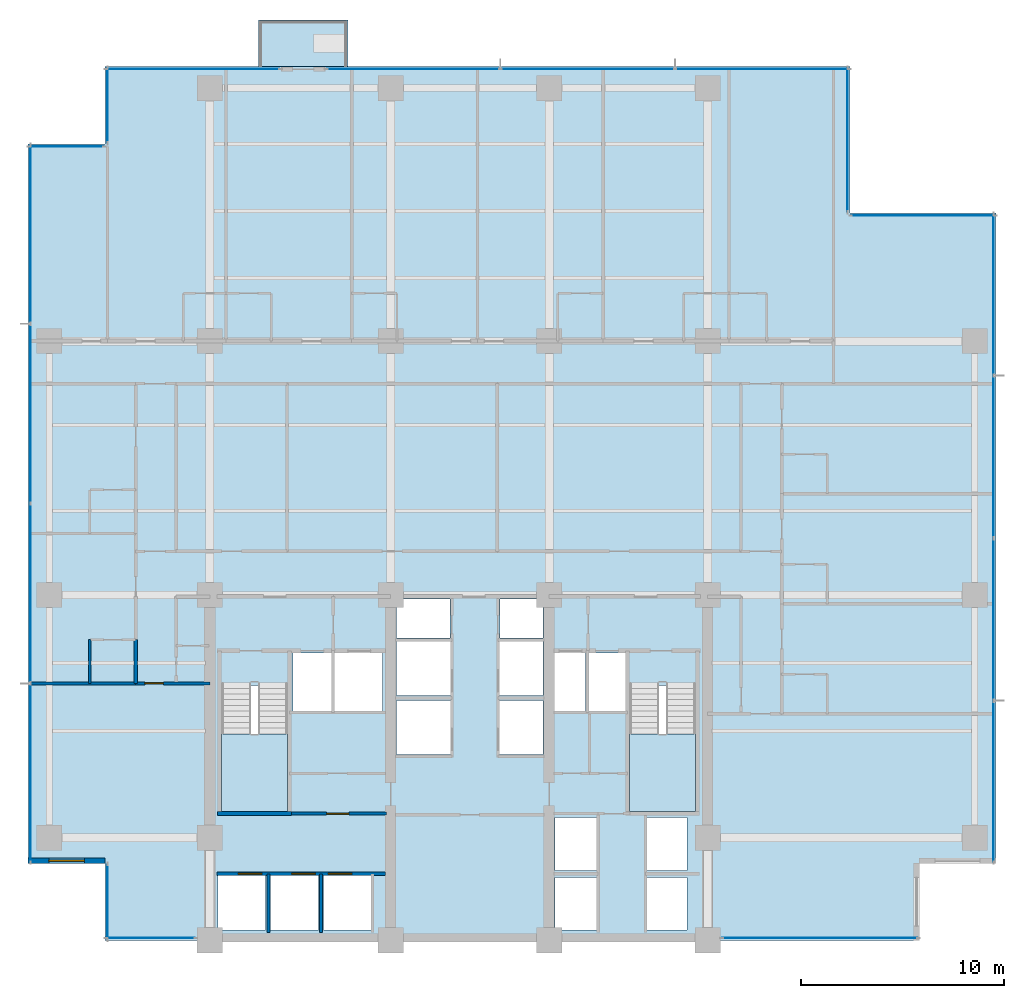
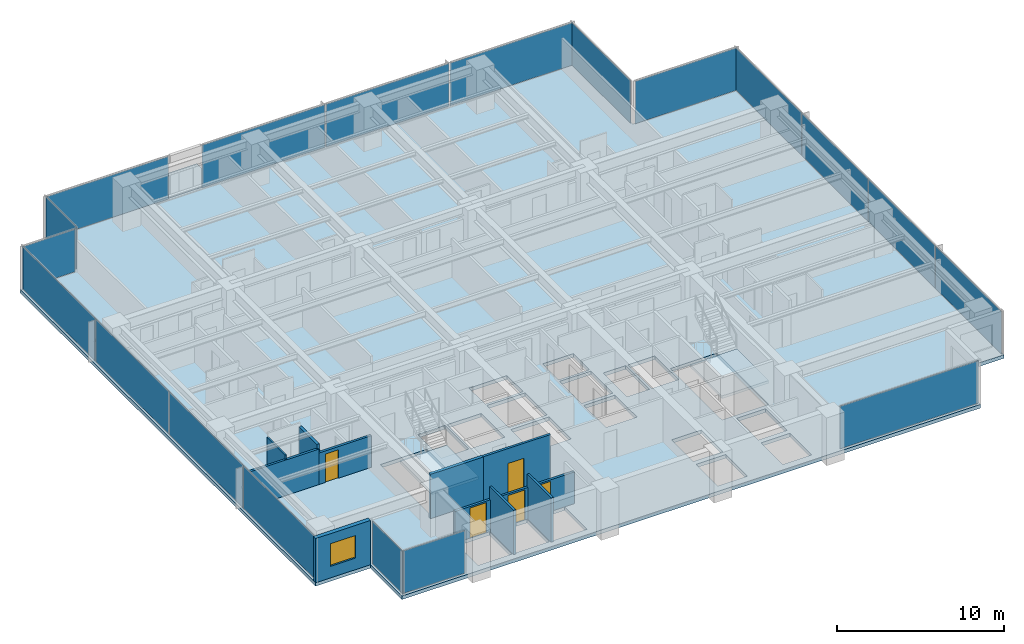
# One storey, part 7 of 17: 19 plates, 10 walls, 5 doors, 4 slabs, 1 window, 6 openings, 13 elements without a shape of their own.
"""IFC4 building model written with IfcOpenShell, lengths in metres."""

import ifcopenshell
import ifcopenshell.guid

model = None  # the IFC model being written
_history = None  # IfcOwnerHistory: only IFC2X3 demands one
_inside = {}  # id of a spatial element -> (the spatial element, [elements in it])
_under = {}  # id of a project, library or spatial element -> (it, [spatial elements below it])
_declared = {}  # id of a project -> (the project, [libraries it declares])
_typed = {}  # id of a type object -> (the type object, [elements of that type])
_made_of = {}  # id of a material, layer set ... -> (it, [elements and type objects made of it])


def new_model(schema):
    """Start an empty IFC model of exactly this schema.

    Asked for "IFC4X3", IfcOpenShell would pick the latest addendum, in which some entities
    have other attributes; the version numbers below select the first issue.
    IFC2X3 requires an IfcOwnerHistory on every rooted entity: one is made here for all.
    """
    global model, _history
    if schema == "IFC4X3":
        model = ifcopenshell.file(schema_version=(4, 3, 0, 0))
    else:
        model = ifcopenshell.file(schema=schema)
    _inside.clear()
    _under.clear()
    _declared.clear()
    _typed.clear()
    _made_of.clear()
    _history = None
    if model.schema == "IFC2X3":
        org = make("IfcOrganization", Name="unknown")
        user = make(
            "IfcPersonAndOrganization",
            ThePerson=make("IfcPerson", FamilyName="unknown"),
            TheOrganization=org,
        )
        app = make(
            "IfcApplication",
            ApplicationDeveloper=org,
            Version="unknown",
            ApplicationFullName="unknown",
            ApplicationIdentifier="unknown",
        )
        _history = make(
            "IfcOwnerHistory",
            OwningUser=user,
            OwningApplication=app,
            ChangeAction="ADDED",
            CreationDate=0,
        )
    return model


def make(cls, **values):
    """One entity of the class cls with the attributes given. An attribute that is None is left unset."""
    return model.create_entity(
        cls, **{name: value for name, value in values.items() if value is not None}
    )


def rooted(cls, **values):
    """An entity with a GlobalId (a new one), such as an element, a storey or a relation."""
    return make(cls, GlobalId=ifcopenshell.guid.new(), OwnerHistory=_history, **values)


def si_unit(unit_type, name, prefix=None):
    """IfcSIUnit, for example si_unit("LENGTHUNIT", "METRE", prefix="MILLI")."""
    return make("IfcSIUnit", UnitType=unit_type, Prefix=prefix, Name=name)


def assignment(units):
    """IfcUnitAssignment: the units of a project."""
    return None if units is None else make("IfcUnitAssignment", Units=units)


def point(xyz):
    """IfcCartesianPoint."""
    return None if xyz is None else make("IfcCartesianPoint", Coordinates=xyz)


def direction(xyz):
    """IfcDirection."""
    return None if xyz is None else make("IfcDirection", DirectionRatios=xyz)


def frame(location, z_axis=None, x_axis=None):
    """IfcAxis2Placement3D, a coordinate frame: its origin and axes. An axis left out is left unset."""
    return make(
        "IfcAxis2Placement3D",
        Location=point(location),
        Axis=direction(z_axis),
        RefDirection=direction(x_axis),
    )


def frame_2d(location, x_axis=None):
    """IfcAxis2Placement2D, a coordinate frame in the plane: its origin and x axis."""
    return make(
        "IfcAxis2Placement2D", Location=point(location), RefDirection=direction(x_axis)
    )


def origin():
    """The frame at (0, 0, 0) with its axes left unset."""
    return frame((0.0, 0.0, 0.0))


def origin_2d():
    """The frame at (0, 0) in the plane with its x axis left unset."""
    return frame_2d((0.0, 0.0))


def place(relative_to, where):
    """IfcLocalPlacement: puts the frame where relative to a parent placement (None: the world)."""
    return make(
        "IfcLocalPlacement", PlacementRelTo=relative_to, RelativePlacement=where
    )


def context(
    kind, dimensions, precision=None, world=None, true_north=None, identifier=None
):
    """IfcGeometricRepresentationContext, for example the 3D "Model" context."""
    return make(
        "IfcGeometricRepresentationContext",
        ContextIdentifier=identifier,
        ContextType=kind,
        CoordinateSpaceDimension=dimensions,
        Precision=precision,
        WorldCoordinateSystem=world,
        TrueNorth=true_north,
    )


def subcontext(parent, identifier, kind, view, scale=None):
    """IfcGeometricRepresentationSubContext, for example "Body" below "Model"."""
    return make(
        "IfcGeometricRepresentationSubContext",
        ContextIdentifier=identifier,
        ContextType=kind,
        ParentContext=parent,
        TargetScale=scale,
        TargetView=view,
    )


def project(units=None, contexts=None):
    """IfcProject with its units and contexts."""
    return rooted(
        "IfcProject",
        Name="project",
        RepresentationContexts=contexts,
        UnitsInContext=assignment(units),
    )


def spatial(cls, under=None, at=None, **own):
    """A site, building, storey or space (cls), placed at a placement, below another one or the project."""
    s = rooted(cls, ObjectPlacement=at, **own)
    if under is not None:
        _under.setdefault(under.id(), (under, []))[1].append(s)
    return s


def polyline(points):
    """IfcPolyline through the points."""
    return make("IfcPolyline", Points=[point(p) for p in points])


def profile(cls, at=None, kind="AREA", **sizes):
    """A parametric profile (cls). Its sizes go by their IFC names, for example OverallWidth=200.0."""
    return make(cls, ProfileType=kind, Position=at, **sizes)


def rectangle(**sizes):
    """IfcRectangleProfileDef."""
    return profile("IfcRectangleProfileDef", **sizes)


def outline(outer, holes=None, kind="AREA"):
    """IfcArbitraryClosedProfileDef: a profile drawn as a closed curve; with holes, ...WithVoids."""
    if holes is None:
        return make("IfcArbitraryClosedProfileDef", ProfileType=kind, OuterCurve=outer)
    return make(
        "IfcArbitraryProfileDefWithVoids",
        ProfileType=kind,
        OuterCurve=outer,
        InnerCurves=holes,
    )


def extrude(swept, where, along, depth):
    """IfcExtrudedAreaSolid: the profile swept, set in the frame where, extruded along a direction by depth."""
    return make(
        "IfcExtrudedAreaSolid",
        SweptArea=swept,
        Position=where,
        ExtrudedDirection=direction(along),
        Depth=depth,
    )


def shape(context_of_items, identifier, shape_type, items):
    """IfcShapeRepresentation: the items that make up one representation, for example the "Body"."""
    return make(
        "IfcShapeRepresentation",
        ContextOfItems=context_of_items,
        RepresentationIdentifier=identifier,
        RepresentationType=shape_type,
        Items=items,
    )


def material(Name=None, Category=None):
    """IfcMaterial."""
    return make("IfcMaterial", Name=Name, Category=Category)


def layer(
    of_material, thickness, ventilated=None, Name=None, Category=None, Priority=None
):
    """IfcMaterialLayer: one layer of a wall or slab, of a material (None: an air gap)."""
    return make(
        "IfcMaterialLayer",
        Material=of_material,
        LayerThickness=thickness,
        IsVentilated=ventilated,
        Name=Name,
        Category=Category,
        Priority=Priority,
    )


def layer_set(layers, Name=None):
    """IfcMaterialLayerSet."""
    return make("IfcMaterialLayerSet", MaterialLayers=layers, LayerSetName=Name)


def made_of(thing, what):
    """Note that an element or type object is made of a material, layer set ...; save() writes the relation."""
    if what is not None:
        _made_of.setdefault(what.id(), (what, []))[1].append(thing)
    return thing


def type_object(cls, material=None, **own):
    """A type object (cls), such as IfcWallType, which elements share."""
    return made_of(rooted(cls, **own), material)


def element(
    cls,
    number,
    at=None,
    inside=None,
    cuts=None,
    type_object=None,
    material=None,
    context=None,
    identifier="Body",
    shape_type=None,
    held_by="IfcProductDefinitionShape",
    body=None,
    shapes=None,
    **own,
):
    """One element of the class cls, such as IfcWall. Its Tag is "e" and its number.

    at: its placement. inside: the storey or other place that contains it. cuts: it is an
    opening in that element (IfcRelVoidsElement). A single representation is given by context,
    identifier, shape_type and body (its items); several are given by shapes. held_by: the class
    of the entity that holds the representations. save() writes the other relations.
    """
    e = rooted(cls, Tag="e%d" % number, ObjectPlacement=at, **own)
    if body is not None:
        shapes = [shape(context, identifier, shape_type, body)]
    if shapes is not None:
        e.Representation = make(held_by, Representations=shapes)
    if inside is not None:
        _inside.setdefault(inside.id(), (inside, []))[1].append(e)
    if cuts is not None:
        rooted(
            "IfcRelVoidsElement", RelatingBuildingElement=cuts, RelatedOpeningElement=e
        )
    if type_object is not None:
        _typed.setdefault(type_object.id(), (type_object, []))[1].append(e)
    return made_of(e, material)


def fill(opening, filler):
    """IfcRelFillsElement: the door or window that sits in an opening."""
    return rooted(
        "IfcRelFillsElement",
        RelatingOpeningElement=opening,
        RelatedBuildingElement=filler,
    )


def aggregate(whole, parts):
    """IfcRelAggregates: a whole, such as a stair, and the parts it consists of."""
    return rooted("IfcRelAggregates", RelatingObject=whole, RelatedObjects=parts)


def save(model, path):
    """Write the relations noted so far, then the file.

    IfcRelAggregates (storeys below a building ...), IfcRelContainedInSpatialStructure (elements
    in a storey), IfcRelDefinesByType, IfcRelAssociatesMaterial and IfcRelDeclares: one each for
    every whole, place, type object, material and project.
    """
    for whole, parts in _under.values():
        aggregate(whole, parts)
    for where, things in _inside.values():
        rooted(
            "IfcRelContainedInSpatialStructure",
            RelatedElements=things,
            RelatingStructure=where,
        )
    for kind, things in _typed.values():
        rooted("IfcRelDefinesByType", RelatedObjects=things, RelatingType=kind)
    for what, things in _made_of.values():
        rooted("IfcRelAssociatesMaterial", RelatedObjects=things, RelatingMaterial=what)
    for by, libraries in _declared.values():
        rooted("IfcRelDeclares", RelatingContext=by, RelatedDefinitions=libraries)
    model.write(path)


model = new_model("IFC4")

# Units and contexts
model_context = context("Model", 3, precision=1e-05, world=origin(), true_north=direction((0.0, 1.0)))
body_context = subcontext(model_context, "Body", "Model", "MODEL_VIEW")
ifc_project = project(units=[si_unit("LENGTHUNIT", "METRE"), si_unit("AREAUNIT", "SQUARE_METRE"), si_unit("VOLUMEUNIT", "CUBIC_METRE"), si_unit("PLANEANGLEUNIT", "RADIAN"), si_unit("MASSUNIT", "GRAM", prefix="KILO")], contexts=[model_context])

# Site, building, storey
site_placement = place(None, origin())
site = spatial("IfcSite", under=ifc_project, at=site_placement, CompositionType="ELEMENT")
building_placement = place(site_placement, origin())
building = spatial("IfcBuilding", under=site, at=building_placement, Name="Qalmaran Belvedere Hotel", CompositionType="ELEMENT")
storey_placement = place(building_placement, frame((0.0, 0.0, 105.699951171875)))
storey = spatial("IfcBuildingStorey", under=building, at=storey_placement, Name="L26", CompositionType="ELEMENT", Elevation=105.699951171875)

# Curtain wall, plate
ifc_material_1 = material(Name="Anodised Bronze Aluminium", Category="aluminium")
ifc_layer_1 = layer(ifc_material_1, 0.199951171875, Name="Anodised Bronze Aluminium")
ifc_layer_set_1 = layer_set([ifc_layer_1], Name="Anodised Bronze Aluminium")
curtain_wall_type = type_object("IfcCurtainWallType", Name="CW3-TOWER-LOWMID", PredefinedType="NOTDEFINED", material=ifc_layer_set_1)
curtain_wall_1_placement = place(storey_placement, origin())
curtain_wall_1 = element("IfcCurtainWall", 1, at=curtain_wall_1_placement, inside=storey, type_object=curtain_wall_type, Name="L26 Curtain Wall CW3", PredefinedType="NOTDEFINED")
ifc_material_2 = material(Name="Solar-Control Double Glazing", Category="glass")
ifc_layer_2 = layer(ifc_material_2, 0.028076171875, Name="Solar-Control Double Glazing")
ifc_layer_set_2 = layer_set([ifc_layer_2], Name="Solar-Control Double Glazing")
plate_type = type_object("IfcPlateType", Name="CWP-VISION-28", PredefinedType="CURTAIN_PANEL", material=ifc_layer_set_2)
plate_1_placement = place(storey_placement, frame((17.392578125, 3.6201171875, 0.06494140625), z_axis=(0.0, 0.0, 1.0), x_axis=(1.0, 0.0, 0.0)))
plate_1 = element("IfcPlate", 2, at=plate_1_placement, type_object=plate_type, Name="CW3 panel 1.1", PredefinedType="CURTAIN_PANEL", context=body_context, shape_type="SweptSolid", body=[
    extrude(rectangle(XDim=4.344970703125, YDim=0.028076171875, at=origin_2d()), origin(), (0.0, 0.0, 1.0), 3.110107421875),
])
aggregate(curtain_wall_1, [plate_1])

curtain_wall_2_placement = place(storey_placement, origin())
curtain_wall_2 = element("IfcCurtainWall", 3, at=curtain_wall_2_placement, inside=storey, type_object=curtain_wall_type, Name="L26 Curtain Wall CW3", PredefinedType="NOTDEFINED")
plate_2_placement = place(storey_placement, frame((50.33251953125, 3.6201171875, 0.06494140625), z_axis=(0.0, 0.0, 1.0), x_axis=(1.0, 0.0, 0.0)))
plate_2 = element("IfcPlate", 4, at=plate_2_placement, type_object=plate_type, Name="CW3 panel 1.1", PredefinedType="CURTAIN_PANEL", context=body_context, shape_type="SweptSolid", body=[
    extrude(rectangle(XDim=9.594970703125, YDim=0.028076171875, at=origin_2d()), origin(), (0.0, 0.0, 1.0), 3.110107421875),
])
aggregate(curtain_wall_2, [plate_2])

# Curtain wall, plates
curtain_wall_3_placement = place(storey_placement, origin())
curtain_wall_3 = element("IfcCurtainWall", 5, at=curtain_wall_3_placement, inside=storey, type_object=curtain_wall_type, Name="L26 Curtain Wall CW3", PredefinedType="NOTDEFINED")
plate_3_placement = place(storey_placement, frame((58.8798828125, 11.3173828125, 0.06494140625), z_axis=(0.0, 0.0, 1.0), x_axis=(0.0, 1.0, 0.0)))
plate_3 = element("IfcPlate", 6, at=plate_3_placement, type_object=plate_type, Name="CW3 panel 1.1", PredefinedType="CURTAIN_PANEL", context=body_context, shape_type="SweptSolid", body=[
    extrude(rectangle(XDim=7.89501953125, YDim=0.028076171875, at=origin_2d()), origin(), (0.0, 0.0, 1.0), 3.110107421875),
])
plate_4_placement = place(storey_placement, frame((58.8798828125, 19.300048828125, 0.06494140625), z_axis=(0.0, 0.0, 1.0), x_axis=(0.0, 1.0, 0.0)))
plate_4 = element("IfcPlate", 7, at=plate_4_placement, type_object=plate_type, Name="CW3 panel 2.1", PredefinedType="CURTAIN_PANEL", context=body_context, shape_type="SweptSolid", body=[
    extrude(rectangle(XDim=7.929931640625, YDim=0.028076171875, at=origin_2d()), origin(), (0.0, 0.0, 1.0), 3.110107421875),
])
plate_5_placement = place(storey_placement, frame((58.8798828125, 27.300048828125, 0.06494140625), z_axis=(0.0, 0.0, 1.0), x_axis=(0.0, 1.0, 0.0)))
plate_5 = element("IfcPlate", 8, at=plate_5_placement, type_object=plate_type, Name="CW3 panel 3.1", PredefinedType="CURTAIN_PANEL", context=body_context, shape_type="SweptSolid", body=[
    extrude(rectangle(XDim=7.929931640625, YDim=0.028076171875, at=origin_2d()), origin(), (0.0, 0.0, 1.0), 3.110107421875),
])
plate_6_placement = place(storey_placement, frame((58.8798828125, 35.282470703125, 0.06494140625), z_axis=(0.0, 0.0, 1.0), x_axis=(0.0, 1.0, 0.0)))
plate_6 = element("IfcPlate", 9, at=plate_6_placement, type_object=plate_type, Name="CW3 panel 4.1", PredefinedType="CURTAIN_PANEL", context=body_context, shape_type="SweptSolid", body=[
    extrude(rectangle(XDim=7.89501953125, YDim=0.028076171875, at=origin_2d()), origin(), (0.0, 0.0, 1.0), 3.110107421875),
])
aggregate(curtain_wall_3, [plate_3, plate_4, plate_5, plate_6])

# Curtain wall, plate
curtain_wall_4_placement = place(storey_placement, origin())
curtain_wall_4 = element("IfcCurtainWall", 10, at=curtain_wall_4_placement, inside=storey, type_object=curtain_wall_type, Name="L26 Curtain Wall CW3", PredefinedType="NOTDEFINED")
plate_7_placement = place(storey_placement, frame((55.39990234375, 39.179931640625, 0.06494140625), z_axis=(0.0, 0.0, 1.0), x_axis=(-1.0, 0.0, 0.0)))
plate_7 = element("IfcPlate", 11, at=plate_7_placement, type_object=plate_type, Name="CW3 panel 1.1", PredefinedType="CURTAIN_PANEL", context=body_context, shape_type="SweptSolid", body=[
    extrude(rectangle(XDim=7.06005859375, YDim=0.028076171875, at=origin_2d()), origin(), (0.0, 0.0, 1.0), 3.110107421875),
])
aggregate(curtain_wall_4, [plate_7])

curtain_wall_5_placement = place(storey_placement, origin())
curtain_wall_5 = element("IfcCurtainWall", 12, at=curtain_wall_5_placement, inside=storey, type_object=curtain_wall_type, Name="L26 Curtain Wall CW3", PredefinedType="NOTDEFINED")
plate_8_placement = place(storey_placement, frame((51.679931640625, 42.89990234375, 0.06494140625), z_axis=(0.0, 0.0, 1.0), x_axis=(0.0, 1.0, 0.0)))
plate_8 = element("IfcPlate", 13, at=plate_8_placement, type_object=plate_type, Name="CW3 panel 1.1", PredefinedType="CURTAIN_PANEL", context=body_context, shape_type="SweptSolid", body=[
    extrude(rectangle(XDim=7.06005859375, YDim=0.028076171875, at=origin_2d()), origin(), (0.0, 0.0, 1.0), 3.110107421875),
])
aggregate(curtain_wall_5, [plate_8])

curtain_wall_6_placement = place(storey_placement, origin())
curtain_wall_6 = element("IfcCurtainWall", 14, at=curtain_wall_6_placement, inside=storey, type_object=curtain_wall_type, Name="L26 Curtain Wall CW3", PredefinedType="NOTDEFINED")
plate_9_placement = place(storey_placement, frame((19.47509765625, 46.3798828125, 0.06494140625), z_axis=(0.0, 0.0, 1.0), x_axis=(-1.0, 0.0, 0.0)))
plate_9 = element("IfcPlate", 15, at=plate_9_placement, type_object=plate_type, Name="CW3 panel 1.1", PredefinedType="CURTAIN_PANEL", context=body_context, shape_type="SweptSolid", body=[
    extrude(rectangle(XDim=8.510009765625, YDim=0.028076171875, at=origin_2d()), origin(), (0.0, 0.0, 1.0), 3.110107421875),
])
aggregate(curtain_wall_6, [plate_9])

# Curtain wall, plates
curtain_wall_7_placement = place(storey_placement, origin())
curtain_wall_7 = element("IfcCurtainWall", 16, at=curtain_wall_7_placement, inside=storey, type_object=curtain_wall_type, Name="L26 Curtain Wall CW3", PredefinedType="NOTDEFINED")
plate_10_placement = place(storey_placement, frame((47.482421875, 46.3798828125, 0.06494140625), z_axis=(0.0, 0.0, 1.0), x_axis=(-1.0, 0.0, 0.0)))
plate_10 = element("IfcPlate", 17, at=plate_10_placement, type_object=plate_type, Name="CW3 panel 1.1", PredefinedType="CURTAIN_PANEL", context=body_context, shape_type="SweptSolid", body=[
    extrude(rectangle(XDim=8.4951171875, YDim=0.028076171875, at=origin_2d()), origin(), (0.0, 0.0, 1.0), 3.110107421875),
])
plate_11_placement = place(storey_placement, frame((38.89990234375, 46.3798828125, 0.06494140625), z_axis=(0.0, 0.0, 1.0), x_axis=(-1.0, 0.0, 0.0)))
plate_11 = element("IfcPlate", 18, at=plate_11_placement, type_object=plate_type, Name="CW3 panel 2.1", PredefinedType="CURTAIN_PANEL", context=body_context, shape_type="SweptSolid", body=[
    extrude(rectangle(XDim=8.530029296875, YDim=0.028076171875, at=origin_2d()), origin(), (0.0, 0.0, 1.0), 3.110107421875),
])
plate_12_placement = place(storey_placement, frame((30.3173828125, 46.3798828125, 0.06494140625), z_axis=(0.0, 0.0, 1.0), x_axis=(-1.0, 0.0, 0.0)))
plate_12 = element("IfcPlate", 19, at=plate_12_placement, type_object=plate_type, Name="CW3 panel 3.1", PredefinedType="CURTAIN_PANEL", context=body_context, shape_type="SweptSolid", body=[
    extrude(rectangle(XDim=8.4951171875, YDim=0.028076171875, at=origin_2d()), origin(), (0.0, 0.0, 1.0), 3.110107421875),
])
aggregate(curtain_wall_7, [plate_10, plate_11, plate_12])

# Curtain wall, plate
curtain_wall_8_placement = place(storey_placement, origin())
curtain_wall_8 = element("IfcCurtainWall", 20, at=curtain_wall_8_placement, inside=storey, type_object=curtain_wall_type, Name="L26 Curtain Wall CW3", PredefinedType="NOTDEFINED")
plate_13_placement = place(storey_placement, frame((15.27001953125, 44.60009765625, 0.06494140625), z_axis=(0.0, 0.0, 1.0), x_axis=(0.0, -1.0, 0.0)))
plate_13 = element("IfcPlate", 21, at=plate_13_placement, type_object=plate_type, Name="CW3 panel 1.1", PredefinedType="CURTAIN_PANEL", context=body_context, shape_type="SweptSolid", body=[
    extrude(rectangle(XDim=3.659912109375, YDim=0.028076171875, at=origin_2d()), origin(), (0.0, 0.0, 1.0), 3.110107421875),
])
aggregate(curtain_wall_8, [plate_13])

curtain_wall_9_placement = place(storey_placement, origin())
curtain_wall_9 = element("IfcCurtainWall", 22, at=curtain_wall_9_placement, inside=storey, type_object=curtain_wall_type, Name="L26 Curtain Wall CW3", PredefinedType="NOTDEFINED")
plate_14_placement = place(storey_placement, frame((13.25, 42.580078125, 0.06494140625), z_axis=(0.0, 0.0, 1.0), x_axis=(-1.0, 0.0, 0.0)))
plate_14 = element("IfcPlate", 23, at=plate_14_placement, type_object=plate_type, Name="CW3 panel 1.1", PredefinedType="CURTAIN_PANEL", context=body_context, shape_type="SweptSolid", body=[
    extrude(rectangle(XDim=3.659912109375, YDim=0.028076171875, at=origin_2d()), origin(), (0.0, 0.0, 1.0), 3.110107421875),
])
aggregate(curtain_wall_9, [plate_14])

# Curtain wall, plates
curtain_wall_10_placement = place(storey_placement, origin())
curtain_wall_10 = element("IfcCurtainWall", 24, at=curtain_wall_10_placement, inside=storey, type_object=curtain_wall_type, Name="L26 Curtain Wall CW3", PredefinedType="NOTDEFINED")
plate_15_placement = place(storey_placement, frame((11.469970703125, 38.257568359375, 0.06494140625), z_axis=(0.0, 0.0, 1.0), x_axis=(0.0, -1.0, 0.0)))
plate_15 = element("IfcPlate", 25, at=plate_15_placement, type_object=plate_type, Name="CW3 panel 1.1", PredefinedType="CURTAIN_PANEL", context=body_context, shape_type="SweptSolid", body=[
    extrude(rectangle(XDim=8.7451171875, YDim=0.028076171875, at=origin_2d()), origin(), (0.0, 0.0, 1.0), 3.110107421875),
])
plate_16_placement = place(storey_placement, frame((11.469970703125, 29.425048828125, 0.06494140625), z_axis=(0.0, 0.0, 1.0), x_axis=(0.0, -1.0, 0.0)))
plate_16 = element("IfcPlate", 26, at=plate_16_placement, type_object=plate_type, Name="CW3 panel 2.1", PredefinedType="CURTAIN_PANEL", context=body_context, shape_type="SweptSolid", body=[
    extrude(rectangle(XDim=8.780029296875, YDim=0.028076171875, at=origin_2d()), origin(), (0.0, 0.0, 1.0), 3.110107421875),
])
plate_17_placement = place(storey_placement, frame((11.469970703125, 20.574951171875, 0.06494140625), z_axis=(0.0, 0.0, 1.0), x_axis=(0.0, -1.0, 0.0)))
plate_17 = element("IfcPlate", 27, at=plate_17_placement, type_object=plate_type, Name="CW3 panel 3.1", PredefinedType="CURTAIN_PANEL", context=body_context, shape_type="SweptSolid", body=[
    extrude(rectangle(XDim=8.780029296875, YDim=0.028076171875, at=origin_2d()), origin(), (0.0, 0.0, 1.0), 3.110107421875),
])
plate_18_placement = place(storey_placement, frame((11.469970703125, 11.742431640625, 0.06494140625), z_axis=(0.0, 0.0, 1.0), x_axis=(0.0, -1.0, 0.0)))
plate_18 = element("IfcPlate", 28, at=plate_18_placement, type_object=plate_type, Name="CW3 panel 4.1", PredefinedType="CURTAIN_PANEL", context=body_context, shape_type="SweptSolid", body=[
    extrude(rectangle(XDim=8.7451171875, YDim=0.028076171875, at=origin_2d()), origin(), (0.0, 0.0, 1.0), 3.110107421875),
])
aggregate(curtain_wall_10, [plate_15, plate_16, plate_17, plate_18])

# Curtain wall, plate
curtain_wall_11_placement = place(storey_placement, origin())
curtain_wall_11 = element("IfcCurtainWall", 29, at=curtain_wall_11_placement, inside=storey, type_object=curtain_wall_type, Name="L26 Curtain Wall CW3", PredefinedType="NOTDEFINED")
plate_19_placement = place(storey_placement, frame((15.27001953125, 5.39990234375, 0.06494140625), z_axis=(0.0, 0.0, 1.0), x_axis=(0.0, -1.0, 0.0)))
plate_19 = element("IfcPlate", 30, at=plate_19_placement, type_object=plate_type, Name="CW3 panel 1.1", PredefinedType="CURTAIN_PANEL", context=body_context, shape_type="SweptSolid", body=[
    extrude(rectangle(XDim=3.659912109375, YDim=0.028076171875, at=origin_2d()), origin(), (0.0, 0.0, 1.0), 3.110107421875),
])
aggregate(curtain_wall_11, [plate_19])

# Slab
ifc_material_3 = material(Name="Concrete C40/50", Category="concrete")
ifc_layer_3 = layer(ifc_material_3, 0.219970703125, Name="Concrete C40/50")
ifc_layer_set_3 = layer_set([ifc_layer_3], Name="Concrete C40/50")
slab_type_1 = type_object("IfcSlabType", Name="SLB-BAL-220", PredefinedType="USERDEFINED", material=ifc_layer_set_3)
slab_1_placement = place(storey_placement, frame((0.0, 0.0, -0.219970703125)))
element("IfcSlab", 31, at=slab_1_placement, inside=storey, type_object=slab_type_1, Name="L26 Planted Tree Balcony Slab 1", ObjectType="BALCONY", PredefinedType="USERDEFINED", context=body_context, shape_type="SweptSolid", body=[
    extrude(outline(polyline([(22.699951171875, 46.5), (27.10009765625, 46.5), (27.10009765625, 48.800048828125), (22.699951171875, 48.800048828125), (22.699951171875, 46.5)])), origin(), (0.0, 0.0, 1.0), 0.219970703125),
])

# Stair, slab
stair_type_1 = type_object("IfcStairType", Name="STR-ST-1-1450-R1750", PredefinedType="HALF_TURN_STAIR", material=ifc_material_3)
stair_1_placement = place(storey_placement, origin())
stair_1 = element("IfcStair", 32, at=stair_1_placement, inside=storey, type_object=stair_type_1, Name="L26 West Core Exit Stair ST-1", PredefinedType="HALF_TURN_STAIR")
ifc_layer_4 = layer(ifc_material_3, 0.199951171875, Name="Concrete C40/50")
ifc_layer_set_4 = layer_set([ifc_layer_4], Name="Concrete C40/50")
slab_type_2 = type_object("IfcSlabType", Name="SLB-STAIR-LANDING-200", PredefinedType="LANDING", material=ifc_layer_set_4)
slab_2_placement = place(storey_placement, frame((0.0, 0.0, 1.550048828125)))
slab_2 = element("IfcSlab", 33, at=slab_2_placement, type_object=slab_type_2, Name="ST-1 landing 1", PredefinedType="LANDING", context=body_context, shape_type="SweptSolid", body=[
    extrude(outline(polyline([(20.8798828125, 13.669921875), (20.8798828125, 9.85009765625), (24.1201171875, 9.85009765625), (24.1201171875, 13.669921875), (20.8798828125, 13.669921875)])), origin(), (0.0, 0.0, 1.0), 0.199951171875),
])
aggregate(stair_1, [slab_2])

stair_type_2 = type_object("IfcStairType", Name="STR-ST-2-1450-R1750", PredefinedType="HALF_TURN_STAIR", material=ifc_material_3)
stair_2_placement = place(storey_placement, origin())
stair_2 = element("IfcStair", 34, at=stair_2_placement, inside=storey, type_object=stair_type_2, Name="L26 East Core Exit Stair ST-2", PredefinedType="HALF_TURN_STAIR")
slab_3_placement = place(storey_placement, frame((0.0, 0.0, 1.550048828125)))
slab_3 = element("IfcSlab", 35, at=slab_3_placement, type_object=slab_type_2, Name="ST-2 landing 1", PredefinedType="LANDING", context=body_context, shape_type="SweptSolid", body=[
    extrude(outline(polyline([(40.9599609375, 13.669921875), (40.9599609375, 9.85009765625), (44.199951171875, 9.85009765625), (44.199951171875, 13.669921875), (40.9599609375, 13.669921875)])), origin(), (0.0, 0.0, 1.0), 0.199951171875),
])
aggregate(stair_2, [slab_3])

# Slab
ifc_layer_5 = layer(ifc_material_3, 0.260009765625, Name="Concrete C40/50")
ifc_layer_set_5 = layer_set([ifc_layer_5], Name="Concrete C40/50")
slab_type_3 = type_object("IfcSlabType", Name="SLB-Z2-260", PredefinedType="FLOOR", material=ifc_layer_set_5)
slab_4_placement = place(storey_placement, frame((0.0, 0.0, -0.260009765625)))
element("IfcSlab", 36, at=slab_4_placement, inside=storey, type_object=slab_type_3, Name="L26 Structural Floor Slab", PredefinedType="FLOOR", context=body_context, shape_type="SweptSolid", body=[
    extrude(outline(polyline([(15.14990234375, 3.5), (55.199951171875, 3.5), (55.199951171875, 7.300048828125), (59.0, 7.300048828125), (59.0, 39.300048828125), (51.800048828125, 39.300048828125), (51.800048828125, 46.5), (15.14990234375, 46.5), (15.14990234375, 42.699951171875), (11.35009765625, 42.699951171875), (11.35009765625, 7.300048828125), (15.14990234375, 7.300048828125), (15.14990234375, 3.5)]), holes=[polyline([(20.8798828125, 9.85009765625), (24.1201171875, 9.85009765625), (24.1201171875, 16.0400390625), (20.8798828125, 16.0400390625), (20.8798828125, 9.85009765625)]), polyline([(40.9599609375, 9.85009765625), (44.199951171875, 9.85009765625), (44.199951171875, 16.0400390625), (40.9599609375, 16.0400390625), (40.9599609375, 9.85009765625)]), polyline([(29.4951171875, 12.64990234375), (32.14990234375, 12.64990234375), (32.14990234375, 15.300048828125), (29.4951171875, 15.300048828125), (29.4951171875, 12.64990234375)]), polyline([(29.4951171875, 15.550048828125), (32.14990234375, 15.550048828125), (32.14990234375, 18.199951171875), (29.4951171875, 18.199951171875), (29.4951171875, 15.550048828125)]), polyline([(34.550048828125, 12.64990234375), (36.705078125, 12.64990234375), (36.705078125, 15.300048828125), (34.550048828125, 15.300048828125), (34.550048828125, 12.64990234375)]), polyline([(34.550048828125, 15.550048828125), (36.705078125, 15.550048828125), (36.705078125, 18.199951171875), (34.550048828125, 18.199951171875), (34.550048828125, 15.550048828125)]), polyline([(37.300048828125, 4.0), (39.35009765625, 4.0), (39.35009765625, 6.60009765625), (37.300048828125, 6.60009765625), (37.300048828125, 4.0)]), polyline([(37.300048828125, 6.949951171875), (39.35009765625, 6.949951171875), (39.35009765625, 9.550048828125), (37.300048828125, 9.550048828125), (37.300048828125, 6.949951171875)]), polyline([(41.800048828125, 4.0), (43.800048828125, 4.0), (43.800048828125, 6.60009765625), (41.800048828125, 6.60009765625), (41.800048828125, 4.0)]), polyline([(41.800048828125, 6.949951171875), (43.800048828125, 6.949951171875), (43.800048828125, 9.550048828125), (41.800048828125, 9.550048828125), (41.800048828125, 6.949951171875)]), polyline([(20.699951171875, 4.0), (23.050048828125, 4.0), (23.050048828125, 6.699951171875), (20.699951171875, 6.699951171875), (20.699951171875, 4.0)]), polyline([(23.300048828125, 4.0), (25.64990234375, 4.0), (25.64990234375, 6.699951171875), (23.300048828125, 6.699951171875), (23.300048828125, 4.0)]), polyline([(25.89990234375, 4.0), (28.25, 4.0), (28.25, 6.699951171875), (25.89990234375, 6.699951171875), (25.89990234375, 4.0)]), polyline([(24.39990234375, 14.800048828125), (26.300048828125, 14.800048828125), (26.300048828125, 17.64990234375), (24.39990234375, 17.64990234375), (24.39990234375, 14.800048828125)]), polyline([(38.949951171875, 14.800048828125), (40.820068359375, 14.800048828125), (40.820068359375, 17.64990234375), (38.949951171875, 17.64990234375), (38.949951171875, 14.800048828125)]), polyline([(26.449951171875, 14.800048828125), (28.800048828125, 14.800048828125), (28.800048828125, 17.64990234375), (26.449951171875, 17.64990234375), (26.449951171875, 14.800048828125)]), polyline([(37.25, 14.800048828125), (38.800048828125, 14.800048828125), (38.800048828125, 17.64990234375), (37.25, 17.64990234375), (37.25, 14.800048828125)]), polyline([(29.4951171875, 18.3798828125), (32.1201171875, 18.3798828125), (32.1201171875, 20.300048828125), (29.4951171875, 20.300048828125), (29.4951171875, 18.3798828125)]), polyline([(34.580078125, 18.3798828125), (36.705078125, 18.3798828125), (36.705078125, 20.300048828125), (34.580078125, 20.300048828125), (34.580078125, 18.3798828125)])]), origin(), (0.0, 0.0, 1.0), 0.260009765625),
])

# Wall, opening, window
ifc_material_4 = material(Name="Anodised Bronze Cladding")
ifc_layer_6 = layer(ifc_material_4, 0.280029296875, Name="Anodised Bronze Cladding")
ifc_layer_set_6 = layer_set([ifc_layer_6], Name="Anodised Bronze Cladding")
wall_type_1 = type_object("IfcWallType", Name="WL-EXT-BRNZ-280", PredefinedType="SOLIDWALL", material=ifc_layer_set_6)
wall_1_placement = place(storey_placement, frame((11.35009765625, 7.419921875, 0.0), z_axis=(0.0, 0.0, 1.0), x_axis=(1.0, 0.0, 0.0)))
wall_1 = element("IfcWall", 37, at=wall_1_placement, inside=storey, type_object=wall_type_1, Name="L26 Corner Notch Wall 10", PredefinedType="SOLIDWALL", context=body_context, shape_type="SweptSolid", body=[
    extrude(rectangle(XDim=3.7998046875, YDim=0.280029296875, at=frame_2d((1.89990234375, 0.0))), origin(), (0.0, 0.0, 1.0), 3.239990234375),
])
opening_1_placement = place(wall_1_placement, frame((1.02490234375, 0.0, 0.85009765625)))
opening_1 = element("IfcOpeningElement", 38, at=opening_1_placement, cuts=wall_1, Name="Opening W-N17", PredefinedType="OPENING", context=body_context, shape_type="SweptSolid", body=[
    extrude(rectangle(XDim=1.75, YDim=1.64990234375, at=frame_2d((0.875, 0.824951171875))), frame((0.0, 0.14990234375, 0.0), z_axis=(0.0, -1.0, 0.0), x_axis=(1.0, 0.0, 0.0)), (0.0, 0.0, 1.0), 0.300048828125),
])
window_type = type_object("IfcWindowType", Name="WN-NTC-1750X1650", PartitioningType="SINGLE_PANEL", PredefinedType="WINDOW", material=ifc_material_2)
window_placement = place(opening_1_placement, origin())
window = element("IfcWindow", 39, at=window_placement, inside=storey, type_object=window_type, Name="L26 Corner Notch Window 10", OverallHeight=1.64990234375, OverallWidth=1.75, PartitioningType="SINGLE_PANEL", PredefinedType="WINDOW", context=body_context, shape_type="SweptSolid", body=[
    extrude(rectangle(XDim=1.75, YDim=1.64990234375, at=frame_2d((0.875, 0.824951171875))), frame((0.0, 0.030029296875, 0.0), z_axis=(0.0, -1.0, 0.0), x_axis=(1.0, 0.0, 0.0)), (0.0, 0.0, 1.0), 0.06005859375),
])
fill(opening_1, window)

# Walls
ifc_material_5 = material(Name="Moisture-Resistant Gypsum")
ifc_layer_7 = layer(ifc_material_5, 0.1201171875, Name="Moisture-Resistant Gypsum")
ifc_layer_set_7 = layer_set([ifc_layer_7], Name="Moisture-Resistant Gypsum")
wall_type_2 = type_object("IfcWallType", Name="WL-INT-120-BATH", PredefinedType="PARTITIONING", material=ifc_layer_set_7)
wall_2_placement = place(storey_placement, frame((14.39990234375, 16.14990234375, 0.0), z_axis=(0.0, 0.0, 1.0), x_axis=(0.0, 1.0, 0.0)))
element("IfcWall", 40, at=wall_2_placement, inside=storey, type_object=wall_type_2, Name="L26 Partition WL-L26-WBS00", PredefinedType="PARTITIONING", context=body_context, shape_type="SweptSolid", body=[
    extrude(rectangle(XDim=2.150146484375, YDim=0.1201171875, at=frame_2d((1.0751953125, 0.0))), origin(), (0.0, 0.0, 1.0), 2.922119140625),
])
ifc_material_6 = material(Name="Gypsum Stud Partition")
ifc_layer_8 = layer(ifc_material_6, 0.14990234375, Name="Gypsum Stud Partition")
ifc_layer_set_8 = layer_set([ifc_layer_8], Name="Gypsum Stud Partition")
wall_type_3 = type_object("IfcWallType", Name="WL-INT-150-EI120", PredefinedType="PARTITIONING", material=ifc_layer_set_8)
for number, where, z_axis, x_axis, name in (
    (41, (23.179931640625, 3.89990234375, 0.0), (0.0, 0.0, 1.0), (0.0, 1.0, 0.0), "L26 Partition WL-POM1-L26"),
    (42, (25.780029296875, 3.89990234375, 0.0), (0.0, 0.0, 1.0), (0.0, 1.0, 0.0), "L26 Partition WL-POM2-L26"),
):
    element("IfcWall", number, at=place(storey_placement, frame(where, z_axis=z_axis, x_axis=x_axis)), inside=storey, type_object=wall_type_3, Name=name, PredefinedType="PARTITIONING", context=body_context, shape_type="SweptSolid", body=[
        extrude(rectangle(XDim=2.880126953125, YDim=0.14990234375, at=frame_2d((1.43994140625, 0.0))), origin(), (0.0, 0.0, 1.0), 3.239990234375),
    ])

# Wall, openings, doors
ifc_layer_9 = layer(ifc_material_6, 0.159912109375, Name="Gypsum Stud Partition")
ifc_layer_set_9 = layer_set([ifc_layer_9], Name="Gypsum Stud Partition")
wall_type_4 = type_object("IfcWallType", Name="WL-INT-160-EI120", PredefinedType="PARTITIONING", material=ifc_layer_set_9)
wall_3_placement = place(storey_placement, frame((20.64990234375, 6.780029296875, 0.0), z_axis=(0.0, 0.0, 1.0), x_axis=(1.0, 0.0, 0.0)))
wall_3 = element("IfcWall", 43, at=wall_3_placement, inside=storey, type_object=wall_type_4, Name="L26 Partition WL-POS-L26", PredefinedType="PARTITIONING", context=body_context, shape_type="SweptSolid", body=[
    extrude(rectangle(XDim=8.300048828125, YDim=0.159912109375, at=frame_2d((4.14990234375, 0.0))), origin(), (0.0, 0.0, 1.0), 2.31298828125),
])
opening_2_placement = place(wall_3_placement, frame((3.69482421875, 0.0, 0.0)))
opening_2 = element("IfcOpeningElement", 44, at=opening_2_placement, cuts=wall_3, Name="Opening LD-PO", PredefinedType="OPENING", context=body_context, shape_type="SweptSolid", body=[
    extrude(rectangle(XDim=1.14990234375, YDim=2.199951171875, at=frame_2d((0.574951171875, 1.10009765625))), frame((0.0, 0.08984375, 0.0), z_axis=(0.0, -1.0, 0.0), x_axis=(1.0, 0.0, 0.0)), (0.0, 0.0, 1.0), 0.179931640625),
])
opening_3_placement = place(wall_3_placement, frame((5.4921875, 0.0, 0.0)))
opening_3 = element("IfcOpeningElement", 45, at=opening_3_placement, cuts=wall_3, Name="Opening LD-PO", PredefinedType="OPENING", context=body_context, shape_type="SweptSolid", body=[
    extrude(rectangle(XDim=1.14990234375, YDim=2.199951171875, at=frame_2d((0.574951171875, 1.10009765625))), frame((0.0, 0.08984375, 0.0), z_axis=(0.0, -1.0, 0.0), x_axis=(1.0, 0.0, 0.0)), (0.0, 0.0, 1.0), 0.179931640625),
])
opening_4_placement = place(wall_3_placement, frame((1.058837890625, 0.0, 0.0)))
opening_4 = element("IfcOpeningElement", 46, at=opening_4_placement, cuts=wall_3, Name="Opening LD-PO", PredefinedType="OPENING", context=body_context, shape_type="SweptSolid", body=[
    extrude(rectangle(XDim=1.14990234375, YDim=2.199951171875, at=frame_2d((0.574951171875, 1.10009765625))), frame((0.0, 0.08984375, 0.0), z_axis=(0.0, -1.0, 0.0), x_axis=(1.0, 0.0, 0.0)), (0.0, 0.0, 1.0), 0.179931640625),
])
door_type_1 = type_object("IfcDoorType", Name="DR-LIFT-PO-1150X2200", OperationType="DOUBLE_DOOR_SLIDING", PredefinedType="DOOR", material=ifc_material_1)
door_1_placement = place(opening_2_placement, origin())
door_1 = element("IfcDoor", 47, at=door_1_placement, inside=storey, type_object=door_type_1, Name="L26 PO1 Shuttle Landing Door", OperationType="DOUBLE_DOOR_SLIDING", OverallHeight=2.199951171875, OverallWidth=1.14990234375, PredefinedType="DOOR", context=body_context, shape_type="SweptSolid", body=[
    extrude(rectangle(XDim=1.14990234375, YDim=2.199951171875, at=frame_2d((0.574951171875, 1.10009765625))), frame((0.0, 0.02490234375, 0.0), z_axis=(0.0, -1.0, 0.0), x_axis=(1.0, 0.0, 0.0)), (0.0, 0.0, 1.0), 0.050048828125),
])
fill(opening_2, door_1)
door_2_placement = place(opening_3_placement, origin())
door_2 = element("IfcDoor", 48, at=door_2_placement, inside=storey, type_object=door_type_1, Name="L26 PO2 Shuttle Landing Door", OperationType="DOUBLE_DOOR_SLIDING", OverallHeight=2.199951171875, OverallWidth=1.14990234375, PredefinedType="DOOR", context=body_context, shape_type="SweptSolid", body=[
    extrude(rectangle(XDim=1.14990234375, YDim=2.199951171875, at=frame_2d((0.574951171875, 1.10009765625))), frame((0.0, 0.02490234375, 0.0), z_axis=(0.0, -1.0, 0.0), x_axis=(1.0, 0.0, 0.0)), (0.0, 0.0, 1.0), 0.050048828125),
])
fill(opening_3, door_2)
door_3_placement = place(opening_4_placement, origin())
door_3 = element("IfcDoor", 49, at=door_3_placement, inside=storey, type_object=door_type_1, Name="L26 PO3 Shuttle Landing Door", OperationType="DOUBLE_DOOR_SLIDING", OverallHeight=2.199951171875, OverallWidth=1.14990234375, PredefinedType="DOOR", context=body_context, shape_type="SweptSolid", body=[
    extrude(rectangle(XDim=1.14990234375, YDim=2.199951171875, at=frame_2d((0.574951171875, 1.10009765625))), frame((0.0, 0.02490234375, 0.0), z_axis=(0.0, -1.0, 0.0), x_axis=(1.0, 0.0, 0.0)), (0.0, 0.0, 1.0), 0.050048828125),
])
fill(opening_4, door_3)

# Wall, opening, door
wall_4_placement = place(storey_placement, frame((24.199951171875, 9.739990234375, 0.0), z_axis=(0.0, 0.0, 1.0), x_axis=(1.0, 0.0, 0.0)))
wall_4 = element("IfcWall", 50, at=wall_4_placement, inside=storey, type_object=wall_type_4, Name="L26 Partition WL-PON-L26", PredefinedType="PARTITIONING", context=body_context, shape_type="SweptSolid", body=[
    extrude(rectangle(XDim=4.800048828125, YDim=0.159912109375, at=frame_2d((2.39990234375, 0.0))), origin(), (0.0, 0.0, 1.0), 3.239990234375),
])
opening_5_placement = place(wall_4_placement, frame((1.85009765625, 0.0, 0.0)))
opening_5 = element("IfcOpeningElement", 51, at=opening_5_placement, cuts=wall_4, Name="Opening FD90", PredefinedType="OPENING", context=body_context, shape_type="SweptSolid", body=[
    extrude(rectangle(XDim=1.10009765625, YDim=2.14990234375, at=frame_2d((0.550048828125, 1.074951171875))), frame((0.0, 0.08984375, 0.0), z_axis=(0.0, -1.0, 0.0), x_axis=(1.0, 0.0, 0.0)), (0.0, 0.0, 1.0), 0.179931640625),
])
ifc_material_7 = material(Name="Steel S355JR", Category="steel")
door_type_2 = type_object("IfcDoorType", Name="DR-FD90-1100X2150", OperationType="NOTDEFINED", PredefinedType="DOOR", material=ifc_material_7)
door_4_placement = place(opening_5_placement, origin())
door_4 = element("IfcDoor", 52, at=door_4_placement, inside=storey, type_object=door_type_2, Name="L26 Shuttle Lobby Passage Door", OperationType="SINGLE_SWING_LEFT", OverallHeight=2.14990234375, OverallWidth=1.10009765625, PredefinedType="DOOR", context=body_context, shape_type="SweptSolid", body=[
    extrude(rectangle(XDim=1.10009765625, YDim=2.14990234375, at=frame_2d((0.550048828125, 1.074951171875))), frame((0.0, 0.02490234375, 0.0), z_axis=(0.0, -1.0, 0.0), x_axis=(1.0, 0.0, 0.0)), (0.0, 0.0, 1.0), 0.050048828125),
])
fill(opening_5, door_4)

ifc_layer_10 = layer(ifc_material_6, 0.159912109375, Name="Gypsum Stud Partition")
ifc_layer_set_10 = layer_set([ifc_layer_10], Name="Gypsum Stud Partition")
wall_type_5 = type_object("IfcWallType", Name="WL-INT-160-EI60", PredefinedType="PARTITIONING", material=ifc_layer_set_10)
wall_5_placement = place(storey_placement, frame((16.64990234375, 16.14990234375, 0.0), z_axis=(0.0, 0.0, 1.0), x_axis=(1.0, 0.0, 0.0)))
wall_5 = element("IfcWall", 53, at=wall_5_placement, inside=storey, type_object=wall_type_5, Name="L26 Partition WL-L26-SWRL", PredefinedType="PARTITIONING", context=body_context, shape_type="SweptSolid", body=[
    extrude(rectangle(XDim=3.650146484375, YDim=0.159912109375, at=frame_2d((1.8251953125, 0.0))), origin(), (0.0, 0.0, 1.0), 2.31298828125),
])
opening_6_placement = place(wall_5_placement, frame((1.369873046875, 0.0, 0.0), z_axis=(0.0, 0.0, 1.0), x_axis=(-1.0, 0.0, 0.0)))
opening_6 = element("IfcOpeningElement", 54, at=opening_6_placement, cuts=wall_5, Name="Opening FD60S1", PredefinedType="OPENING", context=body_context, shape_type="SweptSolid", body=[
    extrude(rectangle(XDim=0.919921875, YDim=2.080078125, at=frame_2d((0.4599609375, 1.0400390625))), frame((0.0, 0.08984375, 0.0), z_axis=(0.0, -1.0, 0.0), x_axis=(1.0, 0.0, 0.0)), (0.0, 0.0, 1.0), 0.179931640625),
])
ifc_material_8 = material(Name="Engineered Oak Veneer")
door_type_3 = type_object("IfcDoorType", Name="DR-FD60S-920X2080", OperationType="NOTDEFINED", PredefinedType="DOOR", material=ifc_material_8)
door_5_placement = place(opening_6_placement, origin())
door_5 = element("IfcDoor", 55, at=door_5_placement, inside=storey, type_object=door_type_3, Name="L26 SW Lounge Door", OperationType="SINGLE_SWING_RIGHT", OverallHeight=2.080078125, OverallWidth=0.919921875, PredefinedType="DOOR", context=body_context, shape_type="SweptSolid", body=[
    extrude(rectangle(XDim=0.919921875, YDim=2.080078125, at=frame_2d((0.4599609375, 1.0400390625))), frame((0.0, 0.02490234375, 0.0), z_axis=(0.0, -1.0, 0.0), x_axis=(1.0, 0.0, 0.0)), (0.0, 0.0, 1.0), 0.050048828125),
])
fill(opening_6, door_5)

# Walls
wall_6_placement = place(storey_placement, frame((11.469970703125, 16.14990234375, 0.0), z_axis=(0.0, 0.0, 1.0), x_axis=(1.0, 0.0, 0.0)))
element("IfcWall", 56, at=wall_6_placement, inside=storey, type_object=wall_type_5, Name="L26 Partition WL-L26-WBOT", PredefinedType="PARTITIONING", context=body_context, shape_type="SweptSolid", body=[
    extrude(rectangle(XDim=5.179931640625, YDim=0.159912109375, at=frame_2d((2.58984375, 0.0))), origin(), (0.0, 0.0, 1.0), 2.60302734375),
])
ifc_layer_11 = layer(ifc_material_6, 0.179931640625, Name="Gypsum Stud Partition")
ifc_layer_set_11 = layer_set([ifc_layer_11], Name="Gypsum Stud Partition")
wall_type_6 = type_object("IfcWallType", Name="WL-INT-180-EI60", PredefinedType="PARTITIONING", material=ifc_layer_set_11)
wall_7_placement = place(storey_placement, frame((16.64990234375, 16.14990234375, 0.0), z_axis=(0.0, 0.0, 1.0), x_axis=(0.0, 1.0, 0.0)))
element("IfcWall", 57, at=wall_7_placement, inside=storey, type_object=wall_type_6, Name="L26 Partition WL-L26-WBC00", PredefinedType="PARTITIONING", context=body_context, shape_type="SweptSolid", body=[
    extrude(rectangle(XDim=2.150146484375, YDim=0.179931640625, at=frame_2d((1.0751953125, 0.0))), origin(), (0.0, 0.0, 1.0), 2.922119140625),
])
ifc_material_9 = material(Name="Concrete C50/60", Category="concrete")
ifc_layer_12 = layer(ifc_material_9, 0.2099609375, Name="Concrete C50/60")
ifc_layer_set_12 = layer_set([ifc_layer_12], Name="Concrete C50/60")
wall_type_7 = type_object("IfcWallType", Name="WL-STAIR-210-C50", PredefinedType="SHEAR", material=ifc_layer_set_12)
wall_8_placement = place(storey_placement, frame((20.669921875, 9.7451171875, 0.0), z_axis=(0.0, 0.0, 1.0), x_axis=(1.0, 0.0, 0.0)))
element("IfcWall", 58, at=wall_8_placement, inside=storey, type_object=wall_type_7, Name="L26 Stair ST-1 South Bearing Wall", PredefinedType="SHEAR", context=body_context, shape_type="SweptSolid", body=[
    extrude(rectangle(XDim=3.66015625, YDim=0.2099609375, at=frame_2d((1.830078125, 0.0))), origin(), (0.0, 0.0, 1.0), 3.239990234375),
])

save(model, "model.ifc")
